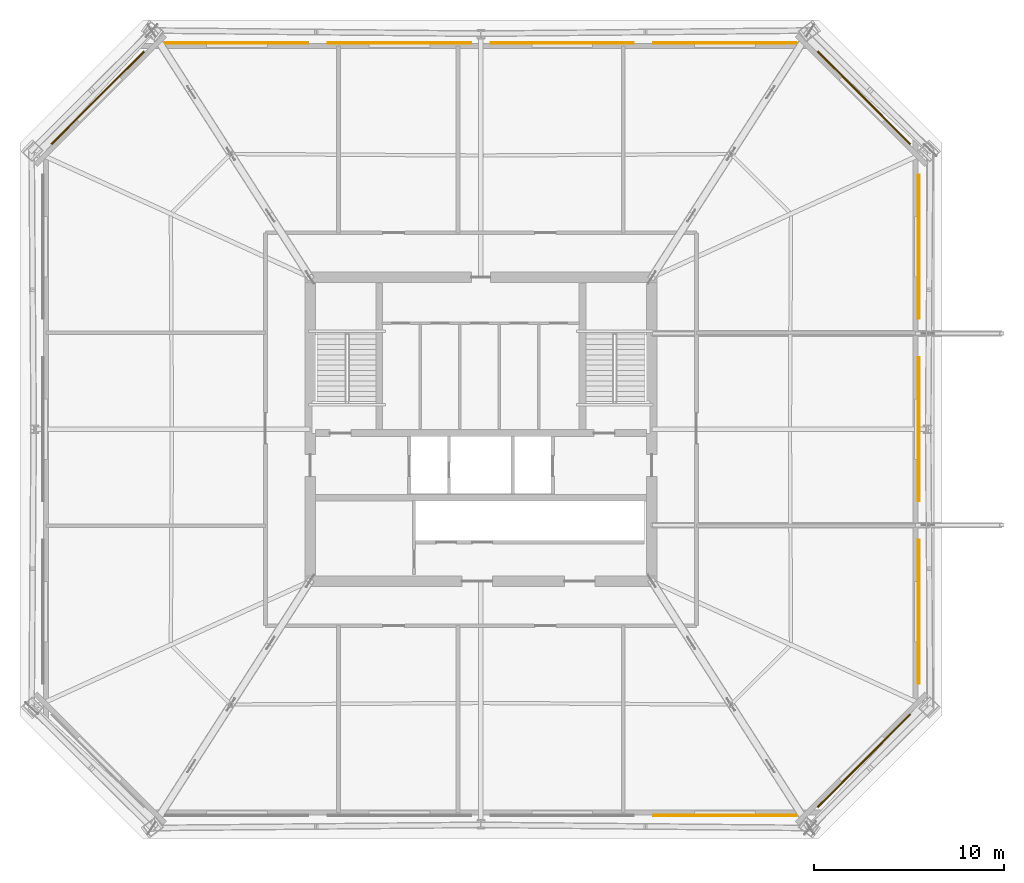
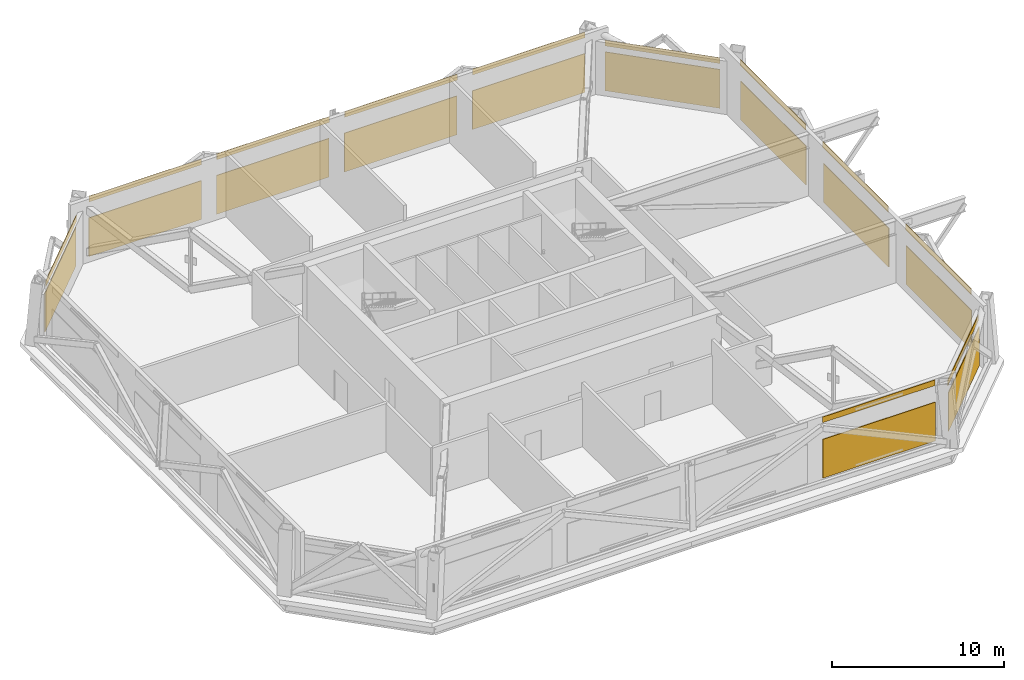
# One storey, part 15 of 15: 11 coverings, 11 shading devices.
"""IFC4 building model written with IfcOpenShell, lengths in metres."""

from ifc_helpers import new_model, si_unit, direction, frame, origin, origin_2d, place, context, subcontext, project, spatial, rectangle, extrude, material, layer, layer_set, type_object, element, save


model = new_model("IFC4")

# Units and contexts
model_context = context("Model", 3, precision=1e-05, world=origin(), true_north=direction((0.0, 1.0)))
body_context = subcontext(model_context, "Body", "Model", "MODEL_VIEW")
ifc_project = project(units=[si_unit("LENGTHUNIT", "METRE"), si_unit("AREAUNIT", "SQUARE_METRE"), si_unit("VOLUMEUNIT", "CUBIC_METRE"), si_unit("PLANEANGLEUNIT", "RADIAN"), si_unit("MASSUNIT", "GRAM", prefix="KILO")], contexts=[model_context])

# Site, building, storey
site_placement = place(None, origin())
site = spatial("IfcSite", under=ifc_project, at=site_placement, CompositionType="ELEMENT")
building_placement = place(site_placement, origin())
building = spatial("IfcBuilding", under=site, at=building_placement, Name="Caelvoria Tower", CompositionType="ELEMENT")
storey_placement = place(building_placement, frame((0.0, 0.0, 167.199951171875)))
storey = spatial("IfcBuildingStorey", under=building, at=storey_placement, Name="L44", CompositionType="ELEMENT", Elevation=167.199951171875)

# Coverings
ifc_material_1 = material(Name="Perforated Architectural Bronze Cladding Screen", Category="bronze")
ifc_layer_1 = layer(ifc_material_1, 0.0400390625, Name="Perforated Architectural Bronze Cladding Screen")
ifc_layer_set_1 = layer_set([ifc_layer_1], Name="Perforated Bronze Louvre Cladding Band 40 - Perforated Architectural Bronze Cladding Screen")
covering_type = type_object("IfcCoveringType", Name="Perforated Bronze Louvre Cladding Band 40", PredefinedType="CLADDING", material=ifc_layer_set_1)
covering_1_placement = place(storey_placement, frame((58.85498046875, 11.677978515625, 4.06005859375), z_axis=(0.0, 0.0, 1.0), x_axis=(1.0, 0.0, 0.0)))
element("IfcCovering", 1, at=covering_1_placement, inside=storey, type_object=covering_type, Name="Perforated Bronze Screen Band L44-E0-03", PredefinedType="CLADDING", context=body_context, shape_type="SweptSolid", body=[
    extrude(rectangle(XDim=7.54150390625, YDim=0.0400390625, at=origin_2d()), origin(), (0.0, 0.0, 1.0), 0.39990234375),
])
covering_2_placement = place(storey_placement, frame((66.16455078125, 14.555419921875, 3.362060546875), z_axis=(0.0, 0.0, 1.0), x_axis=(0.707106781187, 0.707106781187, 0.0)))
element("IfcCovering", 2, at=covering_2_placement, inside=storey, type_object=covering_type, Name="Perforated Bronze Screen Band L44-E1-00", PredefinedType="CLADDING", context=body_context, shape_type="SweptSolid", body=[
    extrude(rectangle(XDim=6.90283203125, YDim=0.0400390625, at=origin_2d()), origin(), (0.0, 0.0, 1.0), 0.39990234375),
])
for number, where, z_axis, x_axis, name in (
    (3, (69.0419921875, 22.38671875, 4.06005859375), (0.0, 0.0, 1.0), (0.0, 1.0, 0.0), "Perforated Bronze Screen Band L44-E2-00"),
    (4, (69.0419921875, 32.0, 4.06005859375), (0.0, 0.0, 1.0), (0.0, 1.0, 0.0), "Perforated Bronze Screen Band L44-E2-01"),
    (5, (69.0419921875, 41.61328125, 4.06005859375), (0.0, 0.0, 1.0), (0.0, 1.0, 0.0), "Perforated Bronze Screen Band L44-E2-02"),
):
    element("IfcCovering", number, at=place(storey_placement, frame(where, z_axis=z_axis, x_axis=x_axis)), inside=storey, type_object=covering_type, Name=name, PredefinedType="CLADDING", context=body_context, shape_type="SweptSolid", body=[
        extrude(rectangle(XDim=7.60009765625, YDim=0.0400390625, at=origin_2d()), origin(), (0.0, 0.0, 1.0), 0.39990234375),
    ])
covering_3_placement = place(storey_placement, frame((66.16455078125, 49.444580078125, 3.362060546875), z_axis=(0.0, 0.0, 1.0), x_axis=(-0.707106781187, 0.707106781187, 0.0)))
element("IfcCovering", 6, at=covering_3_placement, inside=storey, type_object=covering_type, Name="Perforated Bronze Screen Band L44-E3-00", PredefinedType="CLADDING", context=body_context, shape_type="SweptSolid", body=[
    extrude(rectangle(XDim=6.90283203125, YDim=0.0400390625, at=origin_2d()), origin(), (0.0, 0.0, 1.0), 0.39990234375),
])
for number, where, z_axis, x_axis, name in (
    (7, (58.85498046875, 52.322021484375, 4.06005859375), (0.0, 0.0, 1.0), (-1.0, 0.0, 0.0), "Perforated Bronze Screen Band L44-E4-00"),
    (8, (50.284912109375, 52.322021484375, 4.06005859375), (0.0, 0.0, 1.0), (-1.0, 0.0, 0.0), "Perforated Bronze Screen Band L44-E4-01"),
    (9, (41.715087890625, 52.322021484375, 4.06005859375), (0.0, 0.0, 1.0), (-1.0, 0.0, 0.0), "Perforated Bronze Screen Band L44-E4-02"),
    (10, (33.14501953125, 52.322021484375, 4.06005859375), (0.0, 0.0, 1.0), (-1.0, 0.0, 0.0), "Perforated Bronze Screen Band L44-E4-03"),
):
    element("IfcCovering", number, at=place(storey_placement, frame(where, z_axis=z_axis, x_axis=x_axis)), inside=storey, type_object=covering_type, Name=name, PredefinedType="CLADDING", context=body_context, shape_type="SweptSolid", body=[
        extrude(rectangle(XDim=7.54150390625, YDim=0.0400390625, at=origin_2d()), origin(), (0.0, 0.0, 1.0), 0.39990234375),
    ])
covering_4_placement = place(storey_placement, frame((25.83544921875, 49.444580078125, 3.362060546875), z_axis=(0.0, 0.0, 1.0), x_axis=(-0.707106781187, -0.707106781187, 0.0)))
element("IfcCovering", 11, at=covering_4_placement, inside=storey, type_object=covering_type, Name="Perforated Bronze Screen Band L44-E5-00", PredefinedType="CLADDING", context=body_context, shape_type="SweptSolid", body=[
    extrude(rectangle(XDim=6.90283203125, YDim=0.0400390625, at=origin_2d()), origin(), (0.0, 0.0, 1.0), 0.39990234375),
])

# Shading devices
ifc_material_2 = material(Name="Perforated Architectural Bronze Alloy Panel", Category="bronze")
ifc_layer_2 = layer(ifc_material_2, 0.044921875, Name="Perforated Architectural Bronze Alloy Panel")
ifc_layer_set_2 = layer_set([ifc_layer_2], Name="Perforated Bronze Solar Screen Panel SCREEN - Perforated Architectural Bronze Alloy Panel")
shading_device_type = type_object("IfcShadingDeviceType", Name="Perforated Bronze Solar Screen Panel SCREEN", PredefinedType="USERDEFINED", material=ifc_layer_set_2)
shading_device_1_placement = place(storey_placement, frame((58.85498046875, 11.635009765625, 0.16015625), z_axis=(0.0, 0.0, 1.0), x_axis=(1.0, 0.0, 0.0)))
element("IfcShadingDevice", 12, at=shading_device_1_placement, inside=storey, type_object=shading_device_type, Name="Perforated Bronze Solar Screen L44-E0-03", ObjectType="SCREEN", PredefinedType="USERDEFINED", context=body_context, shape_type="SweptSolid", body=[
    extrude(rectangle(XDim=7.54150390625, YDim=0.044921875, at=origin_2d()), origin(), (0.0, 0.0, 1.0), 2.75),
])
shading_device_2_placement = place(storey_placement, frame((66.195068359375, 14.52490234375, 0.16015625), z_axis=(0.0, 0.0, 1.0), x_axis=(0.707106781187, 0.707106781187, 0.0)))
element("IfcShadingDevice", 13, at=shading_device_2_placement, inside=storey, type_object=shading_device_type, Name="Perforated Bronze Solar Screen L44-E1-00", ObjectType="SCREEN", PredefinedType="USERDEFINED", context=body_context, shape_type="SweptSolid", body=[
    extrude(rectangle(XDim=6.90283203125, YDim=0.044921875, at=origin_2d()), origin(), (0.0, 0.0, 1.0), 2.75),
])
for number, where, z_axis, x_axis, name in (
    (14, (69.0849609375, 22.38671875, 0.16015625), (0.0, 0.0, 1.0), (0.0, 1.0, 0.0), "Perforated Bronze Solar Screen L44-E2-00"),
    (15, (69.0849609375, 32.0, 0.16015625), (0.0, 0.0, 1.0), (0.0, 1.0, 0.0), "Perforated Bronze Solar Screen L44-E2-01"),
    (16, (69.0849609375, 41.61328125, 0.16015625), (0.0, 0.0, 1.0), (0.0, 1.0, 0.0), "Perforated Bronze Solar Screen L44-E2-02"),
):
    element("IfcShadingDevice", number, at=place(storey_placement, frame(where, z_axis=z_axis, x_axis=x_axis)), inside=storey, type_object=shading_device_type, Name=name, ObjectType="SCREEN", PredefinedType="USERDEFINED", context=body_context, shape_type="SweptSolid", body=[
        extrude(rectangle(XDim=7.60009765625, YDim=0.044921875, at=origin_2d()), origin(), (0.0, 0.0, 1.0), 2.75),
    ])
shading_device_3_placement = place(storey_placement, frame((66.195068359375, 49.47509765625, 0.16015625), z_axis=(0.0, 0.0, 1.0), x_axis=(-0.707106781187, 0.707106781187, 0.0)))
element("IfcShadingDevice", 17, at=shading_device_3_placement, inside=storey, type_object=shading_device_type, Name="Perforated Bronze Solar Screen L44-E3-00", ObjectType="SCREEN", PredefinedType="USERDEFINED", context=body_context, shape_type="SweptSolid", body=[
    extrude(rectangle(XDim=6.90283203125, YDim=0.044921875, at=origin_2d()), origin(), (0.0, 0.0, 1.0), 2.75),
])
for number, where, z_axis, x_axis, name in (
    (18, (58.85498046875, 52.364990234375, 0.16015625), (0.0, 0.0, 1.0), (-1.0, 0.0, 0.0), "Perforated Bronze Solar Screen L44-E4-00"),
    (19, (50.284912109375, 52.364990234375, 0.16015625), (0.0, 0.0, 1.0), (-1.0, 0.0, 0.0), "Perforated Bronze Solar Screen L44-E4-01"),
    (20, (41.715087890625, 52.364990234375, 0.16015625), (0.0, 0.0, 1.0), (-1.0, 0.0, 0.0), "Perforated Bronze Solar Screen L44-E4-02"),
    (21, (33.14501953125, 52.364990234375, 0.16015625), (0.0, 0.0, 1.0), (-1.0, 0.0, 0.0), "Perforated Bronze Solar Screen L44-E4-03"),
):
    element("IfcShadingDevice", number, at=place(storey_placement, frame(where, z_axis=z_axis, x_axis=x_axis)), inside=storey, type_object=shading_device_type, Name=name, ObjectType="SCREEN", PredefinedType="USERDEFINED", context=body_context, shape_type="SweptSolid", body=[
        extrude(rectangle(XDim=7.54150390625, YDim=0.044921875, at=origin_2d()), origin(), (0.0, 0.0, 1.0), 2.75),
    ])
shading_device_4_placement = place(storey_placement, frame((25.804931640625, 49.47509765625, 0.16015625), z_axis=(0.0, 0.0, 1.0), x_axis=(-0.707106781187, -0.707106781187, 0.0)))
element("IfcShadingDevice", 22, at=shading_device_4_placement, inside=storey, type_object=shading_device_type, Name="Perforated Bronze Solar Screen L44-E5-00", ObjectType="SCREEN", PredefinedType="USERDEFINED", context=body_context, shape_type="SweptSolid", body=[
    extrude(rectangle(XDim=6.90283203125, YDim=0.044921875, at=origin_2d()), origin(), (0.0, 0.0, 1.0), 2.75),
])

save(model, "model.ifc")
